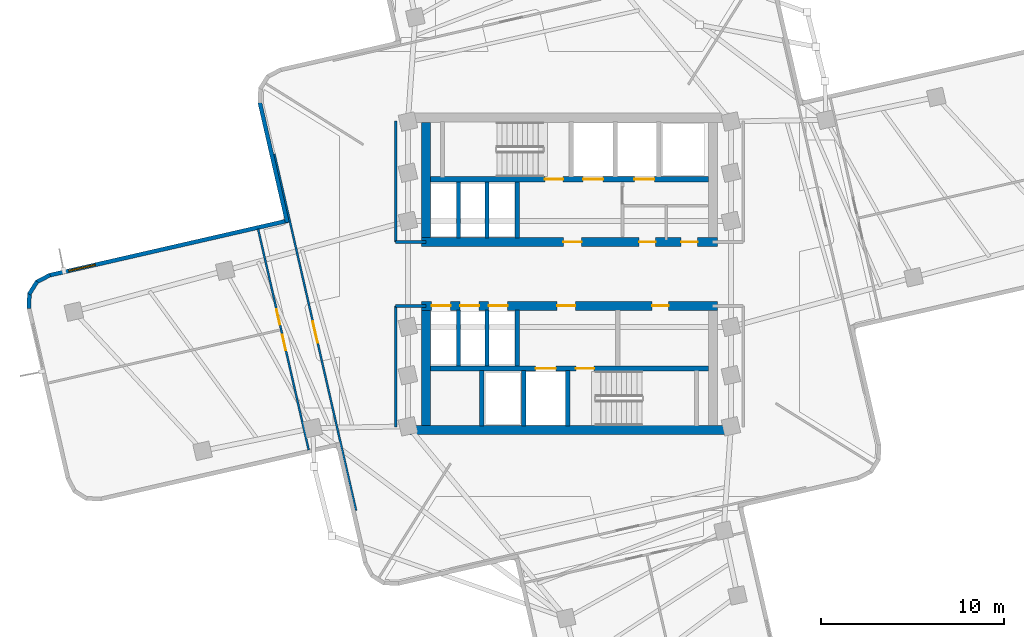
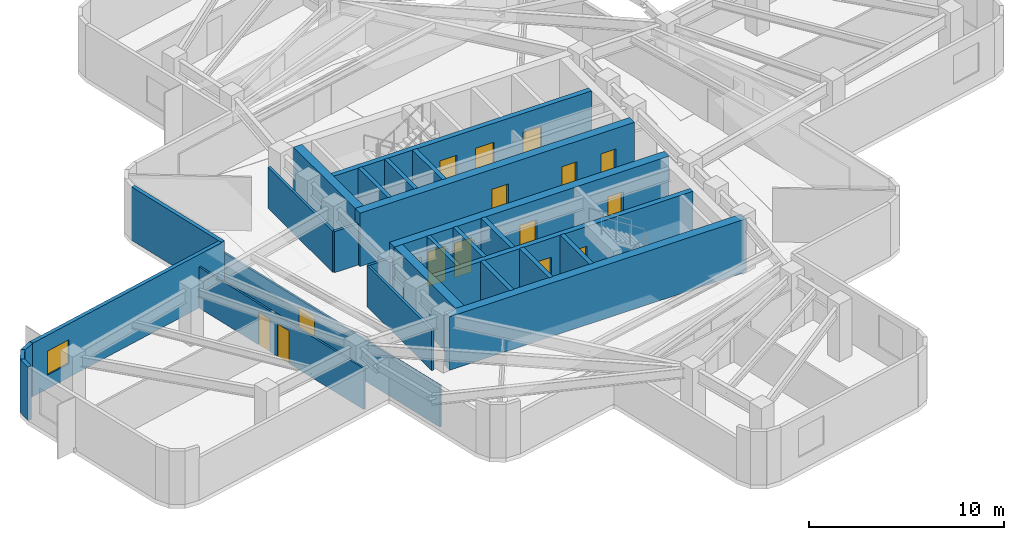
# One storey, part 3 of 8: 27 walls, 16 doors, 1 window, 17 openings.
"""IFC4 building model written with IfcOpenShell, lengths in metres."""

from ifc_helpers import new_model, si_unit, direction, frame, frame_2d, origin, place, context, subcontext, project, spatial, rectangle, extrude, material, layer, layer_set, type_object, element, fill, save


model = new_model("IFC4")

# Units and contexts
model_context = context("Model", 3, precision=1e-05, world=origin(), true_north=direction((0.0, 1.0)))
body_context = subcontext(model_context, "Body", "Model", "MODEL_VIEW")
ifc_project = project(units=[si_unit("LENGTHUNIT", "METRE"), si_unit("AREAUNIT", "SQUARE_METRE"), si_unit("VOLUMEUNIT", "CUBIC_METRE"), si_unit("PLANEANGLEUNIT", "RADIAN"), si_unit("MASSUNIT", "GRAM", prefix="KILO")], contexts=[model_context])

# Site, building, storey
site_placement = place(None, origin())
site = spatial("IfcSite", under=ifc_project, at=site_placement, CompositionType="ELEMENT")
building_placement = place(site_placement, origin())
building = spatial("IfcBuilding", under=site, at=building_placement, Name="Solmarez Civic Tower", CompositionType="ELEMENT")
storey_placement = place(building_placement, frame((0.0, 0.0, 123.47998046875)))
storey = spatial("IfcBuildingStorey", under=building, at=storey_placement, Name="L32", CompositionType="ELEMENT", Elevation=123.47998046875)

# Wall, openings, doors
ifc_material_1 = material(Name="Concrete C60/75", Category="concrete")
ifc_layer_1 = layer(ifc_material_1, 0.5)
ifc_layer_set_1 = layer_set([ifc_layer_1], Name="Concrete C60/75")
wall_type_1 = type_object("IfcWallType", Name="WALL-CORE-500", PredefinedType="SHEAR", material=ifc_layer_set_1)
wall_1_placement = place(storey_placement, frame((8.1201171875, 1.75, 0.0), z_axis=(0.0, 0.0, 1.0), x_axis=(-1.0, 0.0, 0.0)))
wall_1 = element("IfcWall", 1, at=wall_1_placement, inside=storey, type_object=wall_type_1, Name="L32 Split-Core Structural Wall NCW-S-L32", PredefinedType="SHEAR", context=body_context, shape_type="SweptSolid", body=[
    extrude(rectangle(XDim=16.240234375, YDim=0.5, at=frame_2d((8.1201171875, 0.0))), origin(), (0.0, 0.0, 1.0), 3.340087890625),
])
opening_1_placement = place(wall_1_placement, frame((7.449951171875, 0.0, 0.0)))
opening_1 = element("IfcOpeningElement", 2, at=opening_1_placement, cuts=wall_1, Name="Opening D-04", PredefinedType="OPENING", context=body_context, shape_type="SweptSolid", body=[
    extrude(rectangle(XDim=1.0, YDim=2.10009765625, at=frame_2d((0.5, 1.050048828125))), frame((0.0, 0.260009765625, 0.0), z_axis=(0.0, -1.0, 0.0), x_axis=(1.0, 0.0, 0.0)), (0.0, 0.0, 1.0), 0.52001953125),
])
opening_2_placement = place(wall_1_placement, frame((3.39990234375, 0.0, 0.0)))
opening_2 = element("IfcOpeningElement", 3, at=opening_2_placement, cuts=wall_1, Name="Opening D-09", PredefinedType="OPENING", context=body_context, shape_type="SweptSolid", body=[
    extrude(rectangle(XDim=0.89990234375, YDim=2.06005859375, at=frame_2d((0.449951171875, 1.030029296875))), frame((0.0, 0.260009765625, 0.0), z_axis=(0.0, -1.0, 0.0), x_axis=(1.0, 0.0, 0.0)), (0.0, 0.0, 1.0), 0.52001953125),
])
opening_3_placement = place(wall_1_placement, frame((1.10009765625, 0.0, 0.0)))
opening_3 = element("IfcOpeningElement", 4, at=opening_3_placement, cuts=wall_1, Name="Opening D-09", PredefinedType="OPENING", context=body_context, shape_type="SweptSolid", body=[
    extrude(rectangle(XDim=0.89990234375, YDim=2.06005859375, at=frame_2d((0.449951171875, 1.030029296875))), frame((0.0, 0.260009765625, 0.0), z_axis=(0.0, -1.0, 0.0), x_axis=(1.0, 0.0, 0.0)), (0.0, 0.0, 1.0), 0.52001953125),
])
ifc_material_2 = material(Name="Steel-Faced Acoustic Fire Door", Category="steel")
door_type_1 = type_object("IfcDoorType", Name="DOOR-FD60-1000", OperationType="NOTDEFINED", PredefinedType="DOOR", material=ifc_material_2)
door_1_placement = place(opening_1_placement, origin())
door_1 = element("IfcDoor", 5, at=door_1_placement, inside=storey, type_object=door_type_1, Name="L32 North Firefighting Lobby Door", OperationType="SINGLE_SWING_LEFT", OverallHeight=2.10009765625, OverallWidth=1.0, PredefinedType="DOOR", context=body_context, shape_type="SweptSolid", body=[
    extrude(rectangle(XDim=1.0, YDim=2.10009765625, at=frame_2d((0.5, 1.050048828125))), frame((0.0, 0.02490234375, 0.0), z_axis=(0.0, -1.0, 0.0), x_axis=(1.0, 0.0, 0.0)), (0.0, 0.0, 1.0), 0.050048828125),
])
fill(opening_1, door_1)
ifc_material_3 = material(Name="Fire-Rated Service Core Door", Category="wood")
door_type_2 = type_object("IfcDoorType", Name="DOOR-FD60-900", OperationType="NOTDEFINED", PredefinedType="DOOR", material=ifc_material_3)
door_2_placement = place(opening_2_placement, origin())
door_2 = element("IfcDoor", 6, at=door_2_placement, inside=storey, type_object=door_type_2, Name="L32 Core WC Door", OperationType="SINGLE_SWING_LEFT", OverallHeight=2.06005859375, OverallWidth=0.89990234375, PredefinedType="DOOR", context=body_context, shape_type="SweptSolid", body=[
    extrude(rectangle(XDim=0.89990234375, YDim=2.06005859375, at=frame_2d((0.449951171875, 1.030029296875))), frame((0.0, 0.02490234375, 0.0), z_axis=(0.0, -1.0, 0.0), x_axis=(1.0, 0.0, 0.0)), (0.0, 0.0, 1.0), 0.050048828125),
])
fill(opening_2, door_2)
door_3_placement = place(opening_3_placement, origin())
door_3 = element("IfcDoor", 7, at=door_3_placement, inside=storey, type_object=door_type_2, Name="L32 Core CL Door", OperationType="SINGLE_SWING_RIGHT", OverallHeight=2.06005859375, OverallWidth=0.89990234375, PredefinedType="DOOR", context=body_context, shape_type="SweptSolid", body=[
    extrude(rectangle(XDim=0.89990234375, YDim=2.06005859375, at=frame_2d((0.449951171875, 1.030029296875))), frame((0.0, 0.02490234375, 0.0), z_axis=(0.0, -1.0, 0.0), x_axis=(1.0, 0.0, 0.0)), (0.0, 0.0, 1.0), 0.050048828125),
])
fill(opening_3, door_3)

# Walls
wall_2_placement = place(storey_placement, frame((-7.8701171875, 2.0, 0.0), z_axis=(0.0, 0.0, 1.0), x_axis=(0.0, 1.0, 0.0)))
element("IfcWall", 8, at=wall_2_placement, inside=storey, type_object=wall_type_1, Name="L32 Split-Core Structural Wall NCW-W-L32", PredefinedType="SHEAR", context=body_context, shape_type="SweptSolid", body=[
    extrude(rectangle(XDim=6.31005859375, YDim=0.5, at=frame_2d((3.155029296875, 0.0))), origin(), (0.0, 0.0, 1.0), 3.340087890625),
])
wall_3_placement = place(storey_placement, frame((8.780029296875, -8.56005859375, 0.0), z_axis=(0.0, 0.0, 1.0), x_axis=(-1.0, 0.0, 0.0)))
element("IfcWall", 9, at=wall_3_placement, inside=storey, type_object=wall_type_1, Name="L32 Split-Core Structural Wall SCW-S-L32", PredefinedType="SHEAR", context=body_context, shape_type="SweptSolid", body=[
    extrude(rectangle(XDim=17.56005859375, YDim=0.5, at=frame_2d((8.780029296875, 0.0))), origin(), (0.0, 0.0, 1.0), 3.340087890625),
])

# Wall, openings, doors
wall_4_placement = place(storey_placement, frame((-8.1201171875, -1.75, 0.0), z_axis=(0.0, 0.0, 1.0), x_axis=(1.0, 0.0, 0.0)))
wall_4 = element("IfcWall", 10, at=wall_4_placement, inside=storey, type_object=wall_type_1, Name="L32 Split-Core Structural Wall SCW-N-L32", PredefinedType="SHEAR", context=body_context, shape_type="SweptSolid", body=[
    extrude(rectangle(XDim=16.240234375, YDim=0.5, at=frame_2d((8.1201171875, 0.0))), origin(), (0.0, 0.0, 1.0), 3.340087890625),
])
opening_4_placement = place(wall_4_placement, frame((7.449951171875, 0.0, 0.0)))
opening_4 = element("IfcOpeningElement", 11, at=opening_4_placement, cuts=wall_4, Name="Opening D-04", PredefinedType="OPENING", context=body_context, shape_type="SweptSolid", body=[
    extrude(rectangle(XDim=1.0, YDim=2.10009765625, at=frame_2d((0.5, 1.050048828125))), frame((0.0, 0.260009765625, 0.0), z_axis=(0.0, -1.0, 0.0), x_axis=(1.0, 0.0, 0.0)), (0.0, 0.0, 1.0), 0.52001953125),
])
opening_5_placement = place(wall_4_placement, frame((12.64990234375, 0.0, 0.0)))
opening_5 = element("IfcOpeningElement", 12, at=opening_5_placement, cuts=wall_4, Name="Opening D-09", PredefinedType="OPENING", context=body_context, shape_type="SweptSolid", body=[
    extrude(rectangle(XDim=0.89990234375, YDim=2.06005859375, at=frame_2d((0.449951171875, 1.030029296875))), frame((0.0, 0.260009765625, 0.0), z_axis=(0.0, -1.0, 0.0), x_axis=(1.0, 0.0, 0.0)), (0.0, 0.0, 1.0), 0.52001953125),
])
opening_6_placement = place(wall_4_placement, frame((0.56494140625, 0.0, 0.0)))
opening_6 = element("IfcOpeningElement", 13, at=opening_6_placement, cuts=wall_4, Name="Opening LD-01", PredefinedType="OPENING", context=body_context, shape_type="SweptSolid", body=[
    extrude(rectangle(XDim=1.050048828125, YDim=2.14990234375, at=frame_2d((0.52490234375, 1.074951171875))), frame((0.0, 0.260009765625, 0.0), z_axis=(0.0, -1.0, 0.0), x_axis=(1.0, 0.0, 0.0)), (0.0, 0.0, 1.0), 0.52001953125),
])
opening_7_placement = place(wall_4_placement, frame((2.125, 0.0, 0.0)))
opening_7 = element("IfcOpeningElement", 14, at=opening_7_placement, cuts=wall_4, Name="Opening LD-01", PredefinedType="OPENING", context=body_context, shape_type="SweptSolid", body=[
    extrude(rectangle(XDim=1.050048828125, YDim=2.14990234375, at=frame_2d((0.52490234375, 1.074951171875))), frame((0.0, 0.260009765625, 0.0), z_axis=(0.0, -1.0, 0.0), x_axis=(1.0, 0.0, 0.0)), (0.0, 0.0, 1.0), 0.52001953125),
])
opening_8_placement = place(wall_4_placement, frame((3.68505859375, 0.0, 0.0)))
opening_8 = element("IfcOpeningElement", 15, at=opening_8_placement, cuts=wall_4, Name="Opening LD-01", PredefinedType="OPENING", context=body_context, shape_type="SweptSolid", body=[
    extrude(rectangle(XDim=1.050048828125, YDim=2.14990234375, at=frame_2d((0.52490234375, 1.074951171875))), frame((0.0, 0.260009765625, 0.0), z_axis=(0.0, -1.0, 0.0), x_axis=(1.0, 0.0, 0.0)), (0.0, 0.0, 1.0), 0.52001953125),
])
door_4_placement = place(opening_4_placement, origin())
door_4 = element("IfcDoor", 16, at=door_4_placement, inside=storey, type_object=door_type_1, Name="L32 South Firefighting Lobby Door", OperationType="SINGLE_SWING_RIGHT", OverallHeight=2.10009765625, OverallWidth=1.0, PredefinedType="DOOR", context=body_context, shape_type="SweptSolid", body=[
    extrude(rectangle(XDim=1.0, YDim=2.10009765625, at=frame_2d((0.5, 1.050048828125))), frame((0.0, 0.02490234375, 0.0), z_axis=(0.0, -1.0, 0.0), x_axis=(1.0, 0.0, 0.0)), (0.0, 0.0, 1.0), 0.050048828125),
])
fill(opening_4, door_4)
door_5_placement = place(opening_5_placement, origin())
door_5 = element("IfcDoor", 17, at=door_5_placement, inside=storey, type_object=door_type_2, Name="L32 Freed Hoistway Mailroom Door", OperationType="SINGLE_SWING_LEFT", OverallHeight=2.06005859375, OverallWidth=0.89990234375, PredefinedType="DOOR", context=body_context, shape_type="SweptSolid", body=[
    extrude(rectangle(XDim=0.89990234375, YDim=2.06005859375, at=frame_2d((0.449951171875, 1.030029296875))), frame((0.0, 0.02490234375, 0.0), z_axis=(0.0, -1.0, 0.0), x_axis=(1.0, 0.0, 0.0)), (0.0, 0.0, 1.0), 0.050048828125),
])
fill(opening_5, door_5)
ifc_material_4 = material(Name="Bronze Passenger Lift Landing Sliding Door", Category="aluminium")
door_type_3 = type_object("IfcDoorType", Name="DOOR-LD-PAX-1050", OperationType="DOUBLE_DOOR_SLIDING", PredefinedType="DOOR", material=ifc_material_4)
door_6_placement = place(opening_6_placement, origin())
door_6 = element("IfcDoor", 18, at=door_6_placement, inside=storey, type_object=door_type_3, Name="L32 Mid-Rise Lift Landing Door PL-M1", OperationType="DOUBLE_DOOR_SLIDING", OverallHeight=2.14990234375, OverallWidth=1.050048828125, PredefinedType="DOOR", context=body_context, shape_type="SweptSolid", body=[
    extrude(rectangle(XDim=1.050048828125, YDim=2.14990234375, at=frame_2d((0.52490234375, 1.074951171875))), frame((0.0, 0.02490234375, 0.0), z_axis=(0.0, -1.0, 0.0), x_axis=(1.0, 0.0, 0.0)), (0.0, 0.0, 1.0), 0.050048828125),
])
fill(opening_6, door_6)
door_7_placement = place(opening_7_placement, origin())
door_7 = element("IfcDoor", 19, at=door_7_placement, inside=storey, type_object=door_type_3, Name="L32 Mid-Rise Lift Landing Door PL-M2", OperationType="DOUBLE_DOOR_SLIDING", OverallHeight=2.14990234375, OverallWidth=1.050048828125, PredefinedType="DOOR", context=body_context, shape_type="SweptSolid", body=[
    extrude(rectangle(XDim=1.050048828125, YDim=2.14990234375, at=frame_2d((0.52490234375, 1.074951171875))), frame((0.0, 0.02490234375, 0.0), z_axis=(0.0, -1.0, 0.0), x_axis=(1.0, 0.0, 0.0)), (0.0, 0.0, 1.0), 0.050048828125),
])
fill(opening_7, door_7)
door_8_placement = place(opening_8_placement, origin())
door_8 = element("IfcDoor", 20, at=door_8_placement, inside=storey, type_object=door_type_3, Name="L32 Mid-Rise Lift Landing Door PL-M3", OperationType="DOUBLE_DOOR_SLIDING", OverallHeight=2.14990234375, OverallWidth=1.050048828125, PredefinedType="DOOR", context=body_context, shape_type="SweptSolid", body=[
    extrude(rectangle(XDim=1.050048828125, YDim=2.14990234375, at=frame_2d((0.52490234375, 1.074951171875))), frame((0.0, 0.02490234375, 0.0), z_axis=(0.0, -1.0, 0.0), x_axis=(1.0, 0.0, 0.0)), (0.0, 0.0, 1.0), 0.050048828125),
])
fill(opening_8, door_8)

# Walls
wall_5_placement = place(storey_placement, frame((-7.8701171875, -8.31005859375, 0.0), z_axis=(0.0, 0.0, 1.0), x_axis=(0.0, 1.0, 0.0)))
element("IfcWall", 21, at=wall_5_placement, inside=storey, type_object=wall_type_1, Name="L32 Split-Core Structural Wall SCW-W-L32", PredefinedType="SHEAR", context=body_context, shape_type="SweptSolid", body=[
    extrude(rectangle(XDim=6.31005859375, YDim=0.5, at=frame_2d((3.155029296875, 0.0))), origin(), (0.0, 0.0, 1.0), 3.340087890625),
])
ifc_material_5 = material(Name="Precast concrete C40/50", Category="concrete")
ifc_layer_2 = layer(ifc_material_5, 0.219970703125)
ifc_layer_set_2 = layer_set([ifc_layer_2], Name="Precast concrete C40/50")
wall_type_2 = type_object("IfcWallType", Name="WALL-EXT-220", PredefinedType="SOLIDWALL", material=ifc_layer_set_2)
wall_6_placement = place(storey_placement, frame((-29.6201171875, -1.89892578125, 0.0), z_axis=(0.0, 0.0, 1.0), x_axis=(0.037195813461, 0.999307996296, 0.0)))
element("IfcWall", 22, at=wall_6_placement, inside=storey, type_object=wall_type_2, Name="L32 Exterior Precast Wall 7", PredefinedType="SOLIDWALL", context=body_context, shape_type="SweptSolid", body=[
    extrude(rectangle(XDim=0.83349609375, YDim=0.219970703125, at=frame_2d((0.416748046875, 0.0))), origin(), (0.0, 0.0, 1.0), 3.340087890625),
])
wall_7_placement = place(storey_placement, frame((-29.60302734375, -1.112060546875, 0.0), z_axis=(0.0, 0.0, 1.0), x_axis=(0.530240177466, 0.847847482865, 0.0)))
element("IfcWall", 23, at=wall_7_placement, inside=storey, type_object=wall_type_2, Name="L32 Exterior Precast Wall 8", PredefinedType="SOLIDWALL", context=body_context, shape_type="SweptSolid", body=[
    extrude(rectangle(XDim=0.818603515625, YDim=0.219970703125, at=frame_2d((0.4091796875, 0.0))), origin(), (0.0, 0.0, 1.0), 3.340087890625),
])
wall_8_placement = place(storey_placement, frame((-29.2041015625, -0.450927734375, 0.0), z_axis=(0.0, 0.0, 1.0), x_axis=(0.883716798585, 0.468022029287, 0.0)))
element("IfcWall", 24, at=wall_8_placement, inside=storey, type_object=wall_type_2, Name="L32 Exterior Precast Wall 9", PredefinedType="SOLIDWALL", context=body_context, shape_type="SweptSolid", body=[
    extrude(rectangle(XDim=0.835205078125, YDim=0.219970703125, at=frame_2d((0.41748046875, 0.0))), origin(), (0.0, 0.0, 1.0), 3.340087890625),
])

# Wall, opening, window
wall_9_placement = place(storey_placement, frame((-28.511962890625, -0.077880859375, 0.0), z_axis=(0.0, 0.0, 1.0), x_axis=(0.974753462872, 0.223283870038, 0.0)))
wall_9 = element("IfcWall", 25, at=wall_9_placement, inside=storey, type_object=wall_type_2, Name="L32 Exterior Precast Wall 10", PredefinedType="SOLIDWALL", context=body_context, shape_type="SweptSolid", body=[
    extrude(rectangle(XDim=13.457763671875, YDim=0.219970703125, at=frame_2d((6.72900390625, 0.0))), origin(), (0.0, 0.0, 1.0), 3.340087890625),
])
opening_9_placement = place(wall_9_placement, frame((1.10009765625, 0.0, 0.85009765625)))
opening_9 = element("IfcOpeningElement", 26, at=opening_9_placement, cuts=wall_9, Name="Opening W-14", PredefinedType="OPENING", context=body_context, shape_type="SweptSolid", body=[
    extrude(rectangle(XDim=1.5, YDim=1.5, at=frame_2d((0.75, 0.75))), frame((0.0, 0.119873046875, 0.0), z_axis=(0.0, -1.0, 0.0), x_axis=(1.0, 0.0, 0.0)), (0.0, 0.0, 1.0), 0.239990234375),
])
ifc_material_6 = material(Name="Solar Control Bronze-Tinted Insulating Glass", Category="glass")
window_type = type_object("IfcWindowType", Name="WIN-1500X1500", PartitioningType="SINGLE_PANEL", PredefinedType="WINDOW", material=ifc_material_6)
window_placement = place(opening_9_placement, origin())
window = element("IfcWindow", 27, at=window_placement, inside=storey, type_object=window_type, Name="L32 Exterior Facade Window 10", OverallHeight=1.5, OverallWidth=1.5, PartitioningType="SINGLE_PANEL", PredefinedType="WINDOW", context=body_context, shape_type="SweptSolid", body=[
    extrude(rectangle(XDim=1.5, YDim=1.5, at=frame_2d((0.75, 0.75))), frame((0.0, 0.030029296875, 0.0), z_axis=(0.0, -1.0, 0.0), x_axis=(1.0, 0.0, 0.0)), (0.0, 0.0, 1.0), 0.06005859375),
])
fill(opening_9, window)

# Walls
wall_10_placement = place(storey_placement, frame((-15.4599609375, 2.821044921875, 0.0), z_axis=(0.0, 0.0, 1.0), x_axis=(-0.223278912438, 0.974754598481, 0.0)))
element("IfcWall", 28, at=wall_10_placement, inside=storey, type_object=wall_type_2, Name="L32 Exterior Precast Wall 13", PredefinedType="SOLIDWALL", context=body_context, shape_type="SweptSolid", body=[
    extrude(rectangle(XDim=6.758544921875, YDim=0.219970703125, at=frame_2d((3.37939453125, 0.0))), origin(), (0.0, 0.0, 1.0), 3.340087890625),
])
ifc_material_7 = material(Name="Gypsum Board Acoustic Steel-Stud Partition", Category="steel")
ifc_layer_3 = layer(ifc_material_7, 0.14990234375)
ifc_layer_set_3 = layer_set([ifc_layer_3], Name="Gypsum Board Acoustic Steel-Stud Partition")
wall_type_3 = type_object("IfcWallType", Name="WALL-INT-FIRE-150", PredefinedType="PARTITIONING", material=ifc_layer_set_3)
wall_11_placement = place(storey_placement, frame((-9.52001953125, 1.75, 0.0), z_axis=(0.0, 0.0, 1.0), x_axis=(0.0, 1.0, 0.0)))
element("IfcWall", 29, at=wall_11_placement, inside=storey, type_object=wall_type_3, Name="L32 Interior Partition CHW-L32-WN1", PredefinedType="PARTITIONING", context=body_context, shape_type="SweptSolid", body=[
    extrude(rectangle(XDim=6.6298828125, YDim=0.14990234375, at=frame_2d((3.31494140625, 0.0))), origin(), (0.0, 0.0, 1.0), 2.570068359375),
])
wall_12_placement = place(storey_placement, frame((-7.85009765625, 1.75, 0.0), z_axis=(0.0, 0.0, 1.0), x_axis=(-1.0, 0.0, 0.0)))
element("IfcWall", 30, at=wall_12_placement, inside=storey, type_object=wall_type_3, Name="L32 Interior Partition CHW-L32-WN3", PredefinedType="PARTITIONING", context=body_context, shape_type="SweptSolid", body=[
    extrude(rectangle(XDim=1.669921875, YDim=0.14990234375, at=frame_2d((0.8349609375, 0.0))), origin(), (0.0, 0.0, 1.0), 2.570068359375),
])
wall_13_placement = place(storey_placement, frame((-9.52001953125, -8.3798828125, 0.0), z_axis=(0.0, 0.0, 1.0), x_axis=(0.0, 1.0, 0.0)))
element("IfcWall", 31, at=wall_13_placement, inside=storey, type_object=wall_type_3, Name="L32 Interior Partition CHW-L32-WS1", PredefinedType="PARTITIONING", context=body_context, shape_type="SweptSolid", body=[
    extrude(rectangle(XDim=6.6298828125, YDim=0.14990234375, at=frame_2d((3.31494140625, 0.0))), origin(), (0.0, 0.0, 1.0), 2.570068359375),
])
wall_14_placement = place(storey_placement, frame((-7.85009765625, -1.75, 0.0), z_axis=(0.0, 0.0, 1.0), x_axis=(-1.0, 0.0, 0.0)))
element("IfcWall", 32, at=wall_14_placement, inside=storey, type_object=wall_type_3, Name="L32 Interior Partition CHW-L32-WS3", PredefinedType="PARTITIONING", context=body_context, shape_type="SweptSolid", body=[
    extrude(rectangle(XDim=1.669921875, YDim=0.14990234375, at=frame_2d((0.8349609375, 0.0))), origin(), (0.0, 0.0, 1.0), 2.570068359375),
])

# Wall, opening, door
ifc_layer_4 = layer(ifc_material_7, 0.110107421875)
ifc_layer_set_4 = layer_set([ifc_layer_4], Name="Gypsum Board Acoustic Steel-Stud Partition")
wall_type_4 = type_object("IfcWallType", Name="WALL-INT-PART-110", PredefinedType="PARTITIONING", material=ifc_layer_set_4)
wall_15_placement = place(storey_placement, frame((-11.69189453125, -12.95703125, 0.0), z_axis=(0.0, 0.0, 1.0), x_axis=(-0.223262093598, 0.97475845088, 0.0)))
wall_15 = element("IfcWall", 33, at=wall_15_placement, inside=storey, type_object=wall_type_4, Name="L32 Interior Partition PT-L32-W-ENT", PredefinedType="PARTITIONING", context=body_context, shape_type="SweptSolid", body=[
    extrude(rectangle(XDim=20.039794921875, YDim=0.110107421875, at=frame_2d((10.02001953125, 0.0))), origin(), (0.0, 0.0, 1.0), 2.570068359375),
])
opening_10_placement = place(wall_15_placement, frame((9.419921875, 0.0, 0.0)))
opening_10 = element("IfcOpeningElement", 34, at=opening_10_placement, cuts=wall_15, Name="Opening D-11", PredefinedType="OPENING", context=body_context, shape_type="SweptSolid", body=[
    extrude(rectangle(XDim=1.199951171875, YDim=2.10009765625, at=frame_2d((0.60009765625, 1.050048828125))), frame((0.0, 0.06494140625, 0.0), z_axis=(0.0, -1.0, 0.0), x_axis=(1.0, 0.0, 0.0)), (0.0, 0.0, 1.0), 0.130126953125),
])
ifc_material_8 = material(Name="Glazed-Vision Acoustic Chamber Door", Category="wood")
door_type_4 = type_object("IfcDoorType", Name="DOOR-INT-1200", OperationType="NOTDEFINED", PredefinedType="DOOR", material=ifc_material_8)
door_9_placement = place(opening_10_placement, origin())
door_9 = element("IfcDoor", 35, at=door_9_placement, inside=storey, type_object=door_type_4, Name="L32 Public Law Reading Room First West Door", OperationType="SINGLE_SWING_LEFT", OverallHeight=2.10009765625, OverallWidth=1.199951171875, PredefinedType="DOOR", context=body_context, shape_type="SweptSolid", body=[
    extrude(rectangle(XDim=1.199951171875, YDim=2.10009765625, at=frame_2d((0.60009765625, 1.050048828125))), frame((0.0, 0.02490234375, 0.0), z_axis=(0.0, -1.0, 0.0), x_axis=(1.0, 0.0, 0.0)), (0.0, 0.0, 1.0), 0.050048828125),
])
fill(opening_10, door_9)

# Wall, openings, doors
wall_16_placement = place(storey_placement, frame((-17.06201171875, 2.468017578125, 0.0), z_axis=(0.0, 0.0, 1.0), x_axis=(0.223341555051, -0.974740247341, 0.0)))
wall_16 = element("IfcWall", 36, at=wall_16_placement, inside=storey, type_object=wall_type_4, Name="L32 Interior Partition PT-L32-W-SCUT", PredefinedType="PARTITIONING", context=body_context, shape_type="SweptSolid", body=[
    extrude(rectangle(XDim=12.429931640625, YDim=0.110107421875, at=frame_2d((6.21484375, 0.0))), origin(), (0.0, 0.0, 1.0), 2.570068359375),
])
opening_11_placement = place(wall_16_placement, frame((4.514892578125, 0.0, 0.0)))
opening_11 = element("IfcOpeningElement", 37, at=opening_11_placement, cuts=wall_16, Name="Opening D-14", PredefinedType="OPENING", context=body_context, shape_type="SweptSolid", body=[
    extrude(rectangle(XDim=0.860107421875, YDim=2.0400390625, at=frame_2d((0.43017578125, 1.02001953125))), frame((0.0, 0.06494140625, 0.0), z_axis=(0.0, -1.0, 0.0), x_axis=(1.0, 0.0, 0.0)), (0.0, 0.0, 1.0), 0.130126953125),
])
opening_12_placement = place(wall_16_placement, frame((5.955078125, 0.0, 0.0)))
opening_12 = element("IfcOpeningElement", 38, at=opening_12_placement, cuts=wall_16, Name="Opening D-14", PredefinedType="OPENING", context=body_context, shape_type="SweptSolid", body=[
    extrude(rectangle(XDim=0.860107421875, YDim=2.0400390625, at=frame_2d((0.43017578125, 1.02001953125))), frame((0.0, 0.06494140625, 0.0), z_axis=(0.0, -1.0, 0.0), x_axis=(1.0, 0.0, 0.0)), (0.0, 0.0, 1.0), 0.130126953125),
])
ifc_material_9 = material(Name="Timber Storage and Pantry Door", Category="wood")
door_type_5 = type_object("IfcDoorType", Name="DOOR-INT-850", OperationType="NOTDEFINED", PredefinedType="DOOR", material=ifc_material_9)
door_10_placement = place(opening_11_placement, origin())
door_10 = element("IfcDoor", 39, at=door_10_placement, inside=storey, type_object=door_type_5, Name="L32 Municipal Co-Working Office Third West Door", OperationType="SINGLE_SWING_RIGHT", OverallHeight=2.0400390625, OverallWidth=0.860107421875, PredefinedType="DOOR", context=body_context, shape_type="SweptSolid", body=[
    extrude(rectangle(XDim=0.860107421875, YDim=2.0400390625, at=frame_2d((0.43017578125, 1.02001953125))), frame((0.0, 0.02490234375, 0.0), z_axis=(0.0, -1.0, 0.0), x_axis=(1.0, 0.0, 0.0)), (0.0, 0.0, 1.0), 0.050048828125),
])
fill(opening_11, door_10)
door_11_placement = place(opening_12_placement, origin())
door_11 = element("IfcDoor", 40, at=door_11_placement, inside=storey, type_object=door_type_5, Name="L32 Security Control Room Second West Door", OperationType="SINGLE_SWING_LEFT", OverallHeight=2.0400390625, OverallWidth=0.860107421875, PredefinedType="DOOR", context=body_context, shape_type="SweptSolid", body=[
    extrude(rectangle(XDim=0.860107421875, YDim=2.0400390625, at=frame_2d((0.43017578125, 1.02001953125))), frame((0.0, 0.02490234375, 0.0), z_axis=(0.0, -1.0, 0.0), x_axis=(1.0, 0.0, 0.0)), (0.0, 0.0, 1.0), 0.050048828125),
])
fill(opening_12, door_11)

ifc_material_10 = material(Name="Concrete C50/60", Category="concrete")
ifc_layer_5 = layer(ifc_material_10, 0.300048828125)
ifc_layer_set_5 = layer_set([ifc_layer_5], Name="Concrete C50/60")
wall_type_5 = type_object("IfcWallType", Name="WALL-STR-300", PredefinedType="SOLIDWALL", material=ifc_layer_set_5)
wall_17_placement = place(storey_placement, frame((7.6201171875, 5.179931640625, 0.0), z_axis=(0.0, 0.0, 1.0), x_axis=(-1.0, 0.0, 0.0)))
wall_17 = element("IfcWall", 41, at=wall_17_placement, inside=storey, type_object=wall_type_5, Name="L32 Split-Core Structural Wall NCW-M-L32", PredefinedType="SOLIDWALL", context=body_context, shape_type="SweptSolid", body=[
    extrude(rectangle(XDim=15.240234375, YDim=0.300048828125, at=frame_2d((7.6201171875, 0.0))), origin(), (0.0, 0.0, 1.0), 3.340087890625),
])
opening_13_placement = place(wall_17_placement, frame((5.77001953125, 0.0, 0.0)))
opening_13 = element("IfcOpeningElement", 42, at=opening_13_placement, cuts=wall_17, Name="Opening LD-02", PredefinedType="OPENING", context=body_context, shape_type="SweptSolid", body=[
    extrude(rectangle(XDim=1.10009765625, YDim=2.14990234375, at=frame_2d((0.550048828125, 1.074951171875))), frame((0.0, 0.159912109375, 0.0), z_axis=(0.0, -1.0, 0.0), x_axis=(1.0, 0.0, 0.0)), (0.0, 0.0, 1.0), 0.320068359375),
])
opening_14_placement = place(wall_17_placement, frame((2.969970703125, 0.0, 0.0)))
opening_14 = element("IfcOpeningElement", 43, at=opening_14_placement, cuts=wall_17, Name="Opening LD-03", PredefinedType="OPENING", context=body_context, shape_type="SweptSolid", body=[
    extrude(rectangle(XDim=1.10009765625, YDim=2.14990234375, at=frame_2d((0.550048828125, 1.074951171875))), frame((0.0, 0.159912109375, 0.0), z_axis=(0.0, -1.0, 0.0), x_axis=(1.0, 0.0, 0.0)), (0.0, 0.0, 1.0), 0.320068359375),
])
opening_15_placement = place(wall_17_placement, frame((7.969970703125, 0.0, 0.0)))
opening_15 = element("IfcOpeningElement", 44, at=opening_15_placement, cuts=wall_17, Name="Opening D-05", PredefinedType="OPENING", context=body_context, shape_type="SweptSolid", body=[
    extrude(rectangle(XDim=1.0, YDim=2.10009765625, at=frame_2d((0.5, 1.050048828125))), frame((0.0, 0.159912109375, 0.0), z_axis=(0.0, -1.0, 0.0), x_axis=(1.0, 0.0, 0.0)), (0.0, 0.0, 1.0), 0.320068359375),
])
ifc_material_11 = material(Name="Fire-Rated Stairwell Exit Door", Category="wood")
door_type_6 = type_object("IfcDoorType", Name="DOOR-FD90-1000", OperationType="NOTDEFINED", PredefinedType="DOOR", material=ifc_material_11)
door_12_placement = place(opening_15_placement, origin())
door_12 = element("IfcDoor", 45, at=door_12_placement, inside=storey, type_object=door_type_6, Name="L32 North Exit Stair Door ST-1", OperationType="SINGLE_SWING_LEFT", OverallHeight=2.10009765625, OverallWidth=1.0, PredefinedType="DOOR", context=body_context, shape_type="SweptSolid", body=[
    extrude(rectangle(XDim=1.0, YDim=2.10009765625, at=frame_2d((0.5, 1.050048828125))), frame((0.0, 0.02490234375, 0.0), z_axis=(0.0, -1.0, 0.0), x_axis=(1.0, 0.0, 0.0)), (0.0, 0.0, 1.0), 0.050048828125),
])
fill(opening_15, door_12)
ifc_material_12 = material(Name="Stainless Firefighting Lift Landing Sliding Door", Category="aluminium")
door_type_7 = type_object("IfcDoorType", Name="DOOR-LD-FF-1100", OperationType="DOUBLE_DOOR_SLIDING", PredefinedType="DOOR", material=ifc_material_12)
door_13_placement = place(opening_13_placement, origin())
door_13 = element("IfcDoor", 46, at=door_13_placement, inside=storey, type_object=door_type_7, Name="L32 Firefighting Lift Landing Door FFL-1", OperationType="DOUBLE_DOOR_SLIDING", OverallHeight=2.14990234375, OverallWidth=1.10009765625, PredefinedType="DOOR", context=body_context, shape_type="SweptSolid", body=[
    extrude(rectangle(XDim=1.10009765625, YDim=2.14990234375, at=frame_2d((0.550048828125, 1.074951171875))), frame((0.0, 0.02490234375, 0.0), z_axis=(0.0, -1.0, 0.0), x_axis=(1.0, 0.0, 0.0)), (0.0, 0.0, 1.0), 0.050048828125),
])
fill(opening_13, door_13)
ifc_material_13 = material(Name="Stainless Stretcher Lift Landing Sliding Door", Category="aluminium")
door_type_8 = type_object("IfcDoorType", Name="DOOR-LD-SV-1100", OperationType="DOUBLE_DOOR_SLIDING", PredefinedType="DOOR", material=ifc_material_13)
door_14_placement = place(opening_14_placement, origin())
door_14 = element("IfcDoor", 47, at=door_14_placement, inside=storey, type_object=door_type_8, Name="L32 Service Stretcher Lift Landing Door SVL-1", OperationType="DOUBLE_DOOR_SLIDING", OverallHeight=2.14990234375, OverallWidth=1.10009765625, PredefinedType="DOOR", context=body_context, shape_type="SweptSolid", body=[
    extrude(rectangle(XDim=1.10009765625, YDim=2.14990234375, at=frame_2d((0.550048828125, 1.074951171875))), frame((0.0, 0.02490234375, 0.0), z_axis=(0.0, -1.0, 0.0), x_axis=(1.0, 0.0, 0.0)), (0.0, 0.0, 1.0), 0.050048828125),
])
fill(opening_14, door_14)

wall_18_placement = place(storey_placement, frame((-7.6201171875, -5.179931640625, 0.0), z_axis=(0.0, 0.0, 1.0), x_axis=(1.0, 0.0, 0.0)))
wall_18 = element("IfcWall", 48, at=wall_18_placement, inside=storey, type_object=wall_type_5, Name="L32 Split-Core Structural Wall SCW-M-L32", PredefinedType="SOLIDWALL", context=body_context, shape_type="SweptSolid", body=[
    extrude(rectangle(XDim=15.240234375, YDim=0.300048828125, at=frame_2d((7.6201171875, 0.0))), origin(), (0.0, 0.0, 1.0), 3.340087890625),
])
opening_16_placement = place(wall_18_placement, frame((5.77001953125, 0.0, 0.0)))
opening_16 = element("IfcOpeningElement", 49, at=opening_16_placement, cuts=wall_18, Name="Opening LD-02", PredefinedType="OPENING", context=body_context, shape_type="SweptSolid", body=[
    extrude(rectangle(XDim=1.10009765625, YDim=2.14990234375, at=frame_2d((0.550048828125, 1.074951171875))), frame((0.0, 0.159912109375, 0.0), z_axis=(0.0, -1.0, 0.0), x_axis=(1.0, 0.0, 0.0)), (0.0, 0.0, 1.0), 0.320068359375),
])
opening_17_placement = place(wall_18_placement, frame((7.969970703125, 0.0, 0.0)))
opening_17 = element("IfcOpeningElement", 50, at=opening_17_placement, cuts=wall_18, Name="Opening D-05", PredefinedType="OPENING", context=body_context, shape_type="SweptSolid", body=[
    extrude(rectangle(XDim=1.0, YDim=2.10009765625, at=frame_2d((0.5, 1.050048828125))), frame((0.0, 0.159912109375, 0.0), z_axis=(0.0, -1.0, 0.0), x_axis=(1.0, 0.0, 0.0)), (0.0, 0.0, 1.0), 0.320068359375),
])
door_15_placement = place(opening_17_placement, origin())
door_15 = element("IfcDoor", 51, at=door_15_placement, inside=storey, type_object=door_type_6, Name="L32 South Exit Stair Door ST-2", OperationType="SINGLE_SWING_RIGHT", OverallHeight=2.10009765625, OverallWidth=1.0, PredefinedType="DOOR", context=body_context, shape_type="SweptSolid", body=[
    extrude(rectangle(XDim=1.0, YDim=2.10009765625, at=frame_2d((0.5, 1.050048828125))), frame((0.0, 0.02490234375, 0.0), z_axis=(0.0, -1.0, 0.0), x_axis=(1.0, 0.0, 0.0)), (0.0, 0.0, 1.0), 0.050048828125),
])
fill(opening_17, door_15)
door_16_placement = place(opening_16_placement, origin())
door_16 = element("IfcDoor", 52, at=door_16_placement, inside=storey, type_object=door_type_7, Name="L32 Firefighting Lift Landing Door FFL-2", OperationType="DOUBLE_DOOR_SLIDING", OverallHeight=2.14990234375, OverallWidth=1.10009765625, PredefinedType="DOOR", context=body_context, shape_type="SweptSolid", body=[
    extrude(rectangle(XDim=1.10009765625, YDim=2.14990234375, at=frame_2d((0.550048828125, 1.074951171875))), frame((0.0, 0.02490234375, 0.0), z_axis=(0.0, -1.0, 0.0), x_axis=(1.0, 0.0, 0.0)), (0.0, 0.0, 1.0), 0.050048828125),
])
fill(opening_16, door_16)

# Walls
wall_19_placement = place(storey_placement, frame((-2.85009765625, 1.97998046875, 0.0), z_axis=(0.0, 0.0, 1.0), x_axis=(0.0, 1.0, 0.0)))
element("IfcWall", 53, at=wall_19_placement, inside=storey, type_object=wall_type_5, Name="L32 Split-Core Structural Wall SHW-NL1-L32", PredefinedType="SOLIDWALL", context=body_context, shape_type="SweptSolid", body=[
    extrude(rectangle(XDim=3.070068359375, YDim=0.25, at=frame_2d((1.53515625, 0.0))), origin(), (0.0, 0.0, 1.0), 3.340087890625),
])
for number, where, z_axis, x_axis, name in (
    (54, (-0.10009765625, -8.340087890625, 0.0), (0.0, 0.0, 1.0), (0.0, 1.0, 0.0), "L32 Split-Core Structural Wall SHW-S1-L32"),
    (55, (-2.5, -8.340087890625, 0.0), (0.0, 0.0, 1.0), (0.0, 1.0, 0.0), "L32 Split-Core Structural Wall SHW-S2-L32"),
    (56, (-4.800048828125, -8.340087890625, 0.0), (0.0, 0.0, 1.0), (0.0, 1.0, 0.0), "L32 Split-Core Structural Wall SHW-S3-L32"),
):
    element("IfcWall", number, at=place(storey_placement, frame(where, z_axis=z_axis, x_axis=x_axis)), inside=storey, type_object=wall_type_5, Name=name, PredefinedType="SOLIDWALL", context=body_context, shape_type="SweptSolid", body=[
        extrude(rectangle(XDim=3.0400390625, YDim=0.25, at=frame_2d((1.52001953125, 0.0))), origin(), (0.0, 0.0, 1.0), 3.340087890625),
    ])
wall_20_placement = place(storey_placement, frame((-2.85009765625, -5.050048828125, 0.0), z_axis=(0.0, 0.0, 1.0), x_axis=(0.0, 1.0, 0.0)))
element("IfcWall", 57, at=wall_20_placement, inside=storey, type_object=wall_type_5, Name="L32 Split-Core Structural Wall SHW-SL1-L32", PredefinedType="SOLIDWALL", context=body_context, shape_type="SweptSolid", body=[
    extrude(rectangle(XDim=3.070068359375, YDim=0.25, at=frame_2d((1.53515625, 0.0))), origin(), (0.0, 0.0, 1.0), 3.340087890625),
])
for number, where, z_axis, x_axis, name in (
    (58, (-6.080078125, 1.97998046875, 0.0), (0.0, 0.0, 1.0), (0.0, 1.0, 0.0), "L32 Split-Core Structural Wall SHW-PLH-L32-1"),
    (59, (-4.52001953125, 1.97998046875, 0.0), (0.0, 0.0, 1.0), (0.0, 1.0, 0.0), "L32 Split-Core Structural Wall SHW-PLH-L32-2"),
    (60, (-6.080078125, -5.050048828125, 0.0), (0.0, 0.0, 1.0), (0.0, 1.0, 0.0), "L32 Split-Core Structural Wall SHW-PLM-L32-1"),
    (61, (-4.52001953125, -5.050048828125, 0.0), (0.0, 0.0, 1.0), (0.0, 1.0, 0.0), "L32 Split-Core Structural Wall SHW-PLM-L32-2"),
):
    element("IfcWall", number, at=place(storey_placement, frame(where, z_axis=z_axis, x_axis=x_axis)), inside=storey, type_object=wall_type_5, Name=name, PredefinedType="SOLIDWALL", context=body_context, shape_type="SweptSolid", body=[
        extrude(rectangle(XDim=3.070068359375, YDim=0.219970703125, at=frame_2d((1.53515625, 0.0))), origin(), (0.0, 0.0, 1.0), 3.340087890625),
    ])

save(model, "model.ifc")
